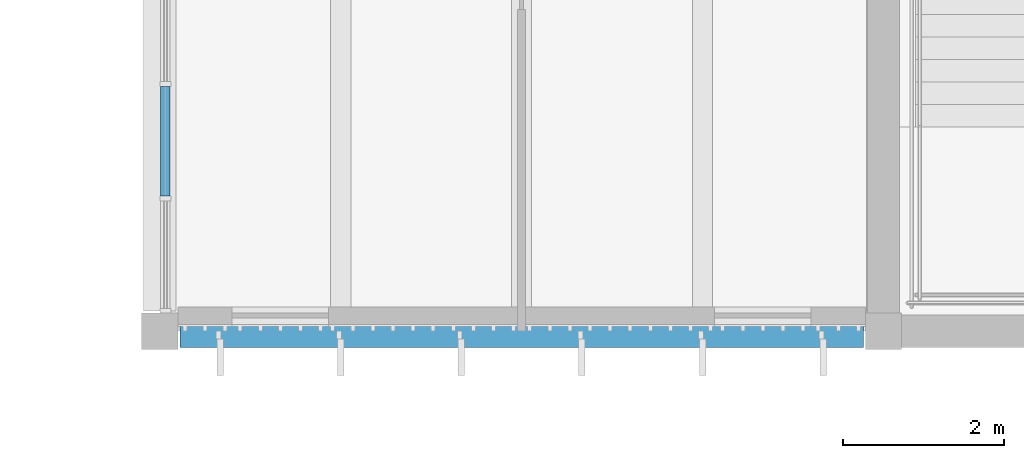
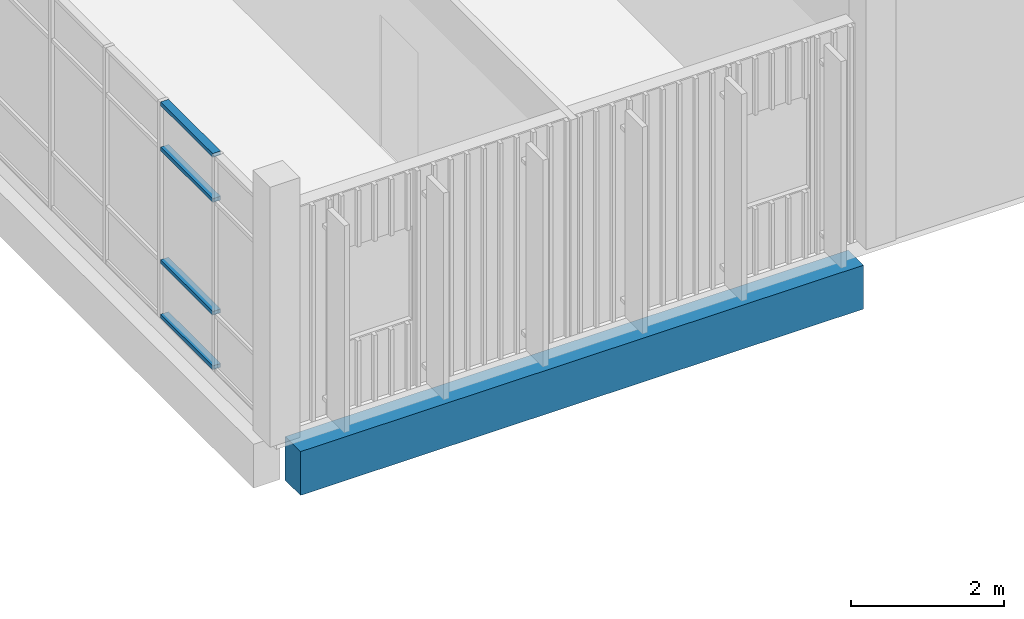
# One storey, part 11 of 88: 4 members, 1 beam, 1 element without a shape of its own.
"""IFC4 building model written with IfcOpenShell, lengths in metres."""

from ifc_helpers import new_model, si_unit, direction, frame, origin, origin_2d, place, context, subcontext, project, spatial, rectangle, extrude, material, material_profile, profile_set, type_object, element, aggregate, save


model = new_model("IFC4")

# Units and contexts
model_context = context("Model", 3, precision=1e-05, world=origin(), true_north=direction((0.0, 1.0)))
body_context = subcontext(model_context, "Body", "Model", "MODEL_VIEW")
ifc_project = project(units=[si_unit("LENGTHUNIT", "METRE"), si_unit("AREAUNIT", "SQUARE_METRE"), si_unit("VOLUMEUNIT", "CUBIC_METRE"), si_unit("PLANEANGLEUNIT", "RADIAN"), si_unit("MASSUNIT", "GRAM", prefix="KILO")], contexts=[model_context])

# Site, building, storey
site_placement = place(None, origin())
site = spatial("IfcSite", under=ifc_project, at=site_placement, CompositionType="ELEMENT")
building_placement = place(site_placement, origin())
building = spatial("IfcBuilding", under=site, at=building_placement, Name="Merrow Basin Faculty of Sciences", CompositionType="ELEMENT")
storey_placement = place(building_placement, frame((0.0, 0.0, 9.0)))
storey = spatial("IfcBuildingStorey", under=building, at=storey_placement, Name="L02", CompositionType="ELEMENT", Elevation=9.0)

# Curtain wall, members
ifc_material_1 = material(Name="Aluminium alloy 6063", Category="aluminium")
curtain_wall_type = type_object("IfcCurtainWallType", Name="Court curtain wall 140", PredefinedType="NOTDEFINED", material=ifc_material_1)
curtain_wall_placement = place(storey_placement, origin())
curtain_wall = element("IfcCurtainWall", 1, at=curtain_wall_placement, inside=storey, type_object=curtain_wall_type, Name="Court curtain wall L02 1", PredefinedType="NOTDEFINED")
ifc_material_2 = material(Name="Aluminium alloy 6063", Category="aluminium")
ifc_material_profile_1 = material_profile(ifc_material_2, rectangle(XDim=0.1201171875, YDim=0.06005859375, at=origin_2d()))
ifc_profile_set_1 = profile_set([ifc_material_profile_1], Name="Aluminium alloy 6063")
member_type = type_object("IfcMemberType", Name="Aluminium transom 60x120", PredefinedType="USERDEFINED", material=ifc_profile_set_1)
member_1_placement = place(storey_placement, frame((54.070068359375, 62.679931640625, 0.030029296875), z_axis=(0.0, 1.0, 0.0), x_axis=(-1.0, 0.0, 0.0)))
member_1 = element("IfcMember", 2, at=member_1_placement, type_object=member_type, Name="CW8 transom 2.1", ObjectType="TRANSOM", PredefinedType="USERDEFINED", context=body_context, shape_type="SweptSolid", body=[
    extrude(rectangle(XDim=0.1201171875, YDim=0.06005859375, at=origin_2d()), origin(), (0.0, 0.0, 1.0), 1.364990234375),
])
member_2_placement = place(storey_placement, frame((54.070068359375, 62.679931640625, 0.89990234375), z_axis=(0.0, 1.0, 0.0), x_axis=(-1.0, 0.0, 0.0)))
member_2 = element("IfcMember", 3, at=member_2_placement, type_object=member_type, Name="CW8 transom 2.2", ObjectType="TRANSOM", PredefinedType="USERDEFINED", context=body_context, shape_type="SweptSolid", body=[
    extrude(rectangle(XDim=0.1201171875, YDim=0.06005859375, at=origin_2d()), origin(), (0.0, 0.0, 1.0), 1.364990234375),
])
member_3_placement = place(storey_placement, frame((54.070068359375, 62.679931640625, 2.699951171875), z_axis=(0.0, 1.0, 0.0), x_axis=(-1.0, 0.0, 0.0)))
member_3 = element("IfcMember", 4, at=member_3_placement, type_object=member_type, Name="CW8 transom 2.3", ObjectType="TRANSOM", PredefinedType="USERDEFINED", context=body_context, shape_type="SweptSolid", body=[
    extrude(rectangle(XDim=0.1201171875, YDim=0.06005859375, at=origin_2d()), origin(), (0.0, 0.0, 1.0), 1.364990234375),
])
member_4_placement = place(storey_placement, frame((54.070068359375, 62.679931640625, 3.419921875), z_axis=(0.0, 1.0, 0.0), x_axis=(-1.0, 0.0, 0.0)))
member_4 = element("IfcMember", 5, at=member_4_placement, type_object=member_type, Name="CW8 transom 2.4", ObjectType="TRANSOM", PredefinedType="USERDEFINED", context=body_context, shape_type="SweptSolid", body=[
    extrude(rectangle(XDim=0.1201171875, YDim=0.06005859375, at=origin_2d()), origin(), (0.0, 0.0, 1.0), 1.364990234375),
])
aggregate(curtain_wall, [member_1, member_2, member_3, member_4])

# Beam
ifc_material_3 = material(Name="Concrete C40/50", Category="concrete")
ifc_material_profile_2 = material_profile(ifc_material_3, rectangle(XDim=0.39990234375, YDim=0.699951171875, at=origin_2d()))
ifc_profile_set_2 = profile_set([ifc_material_profile_2], Name="Concrete C40/50")
beam_type = type_object("IfcBeamType", Name="Beam RC400x700 C40/50", PredefinedType="BEAM", material=ifc_profile_set_2)
beam_placement = place(storey_placement, frame((54.25, 61.0, -0.60009765625), z_axis=(1.0, 0.0, 0.0), x_axis=(0.0, 1.0, 0.0)))
element("IfcBeam", 6, at=beam_placement, inside=storey, type_object=beam_type, Name="B3 L02 001", PredefinedType="BEAM", context=body_context, shape_type="SweptSolid", body=[
    extrude(rectangle(XDim=0.39990234375, YDim=0.699951171875, at=origin_2d()), origin(), (0.0, 0.0, 1.0), 8.5),
])

save(model, "model.ifc")
